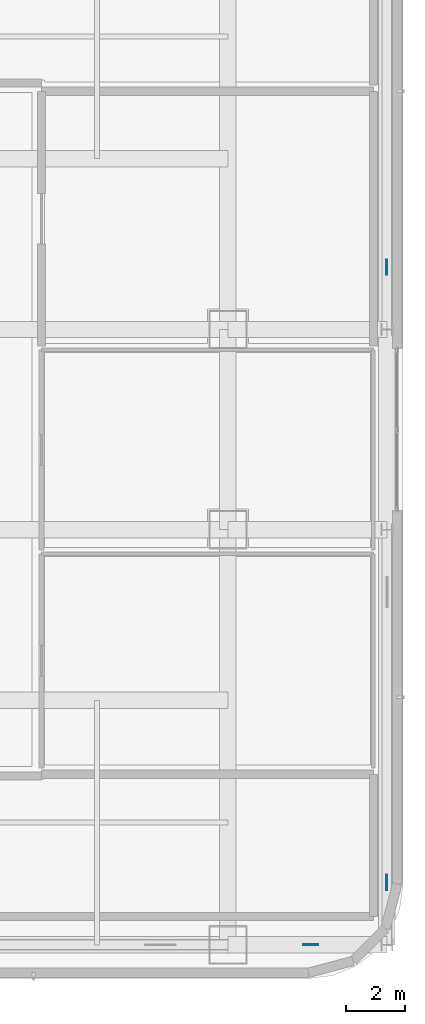
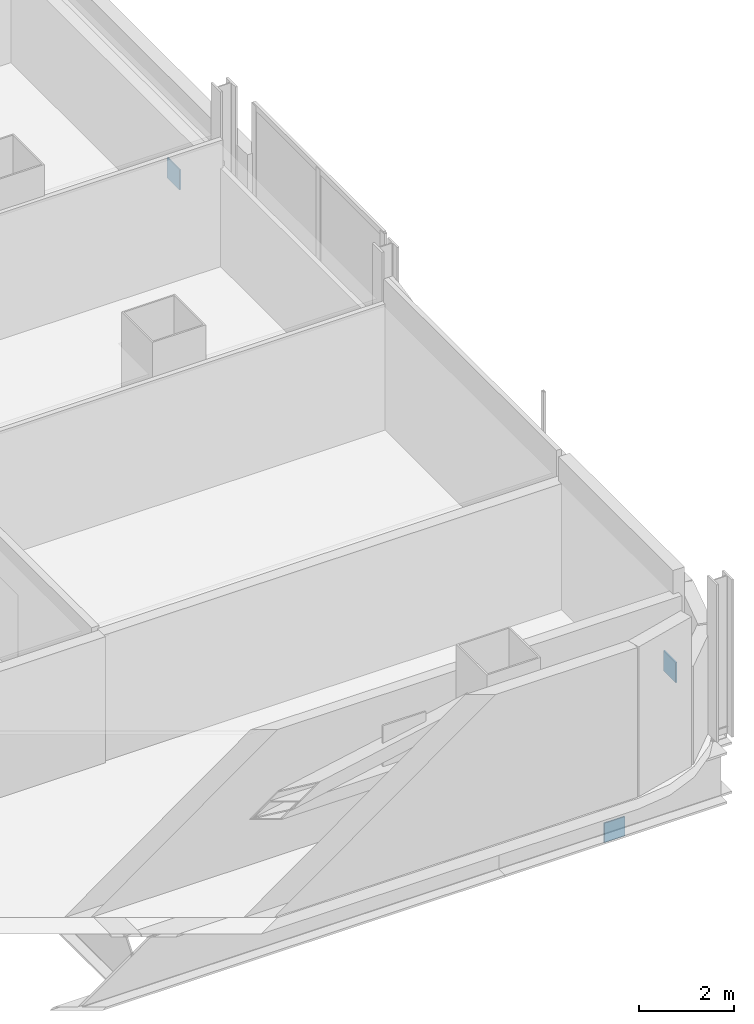
# One storey, part 14 of 30: 3 plates.
"""IFC4 building model written with IfcOpenShell, lengths in metres."""

from ifc_helpers import new_model, si_unit, direction, frame, origin, origin_2d, place, context, subcontext, project, spatial, rectangle, extrude, material, layer, layer_set, type_object, element, save


model = new_model("IFC4")

# Units and contexts
model_context = context("Model", 3, precision=1e-05, world=origin(), true_north=direction((0.0, 1.0)))
body_context = subcontext(model_context, "Body", "Model", "MODEL_VIEW")
ifc_project = project(units=[si_unit("LENGTHUNIT", "METRE"), si_unit("AREAUNIT", "SQUARE_METRE"), si_unit("VOLUMEUNIT", "CUBIC_METRE"), si_unit("PLANEANGLEUNIT", "RADIAN"), si_unit("MASSUNIT", "GRAM", prefix="KILO")], contexts=[model_context])

# Site, building, storey
site_placement = place(None, origin())
site = spatial("IfcSite", under=ifc_project, at=site_placement, CompositionType="ELEMENT")
building_placement = place(site_placement, origin())
building = spatial("IfcBuilding", under=site, at=building_placement, Name="Punatoya Terracotta Tower", CompositionType="ELEMENT")
storey_placement = place(building_placement, frame((0.0, 0.0, 251.39990234375)))
storey = spatial("IfcBuildingStorey", under=building, at=storey_placement, Name="L59", CompositionType="ELEMENT", Elevation=251.39990234375)

# Plates
ifc_material = material(Name="Steel S460", Category="steel")
ifc_layer = layer(ifc_material, 0.031982421875)
ifc_layer_set = layer_set([ifc_layer], Name="Steel S460")
plate_type = type_object("IfcPlateType", Name="PLT-END-32", PredefinedType="USERDEFINED", material=ifc_layer_set)
for number, where, z_axis, x_axis, name in (
    (1, (24.5, -15.385009765625, 0.214599609375), (0.0, 0.0, 1.0), (0.0, 1.0, 0.0), "L59 Exoskeleton Base Node Plate E1"),
    (2, (24.5, 5.514892578125, 0.214599609375), (0.0, 0.0, 1.0), (0.0, 1.0, 0.0), "L59 Exoskeleton Base Node Plate E3"),
):
    element("IfcPlate", number, at=place(storey_placement, frame(where, z_axis=z_axis, x_axis=x_axis)), inside=storey, type_object=plate_type, Name=name, ObjectType="FLANGE_PLATE", PredefinedType="USERDEFINED", context=body_context, shape_type="SweptSolid", body=[
        extrude(rectangle(XDim=0.52001953125, YDim=0.031982421875, at=origin_2d()), origin(), (0.0, 0.0, 1.0), 0.52001953125),
    ])
plate_placement = place(storey_placement, frame((21.916015625, -17.5, -1.77392578125), z_axis=(0.0, 0.0, 1.0), x_axis=(1.0, 0.0, 0.0)))
element("IfcPlate", 3, at=plate_placement, inside=storey, type_object=plate_type, Name="L59 Knee-Strut Upper End Cap Plate E1", ObjectType="FLANGE_PLATE", PredefinedType="USERDEFINED", context=body_context, shape_type="SweptSolid", body=[
    extrude(rectangle(XDim=0.5, YDim=0.031982421875, at=origin_2d()), origin(), (0.0, 0.0, 1.0), 0.5),
])

save(model, "model.ifc")
